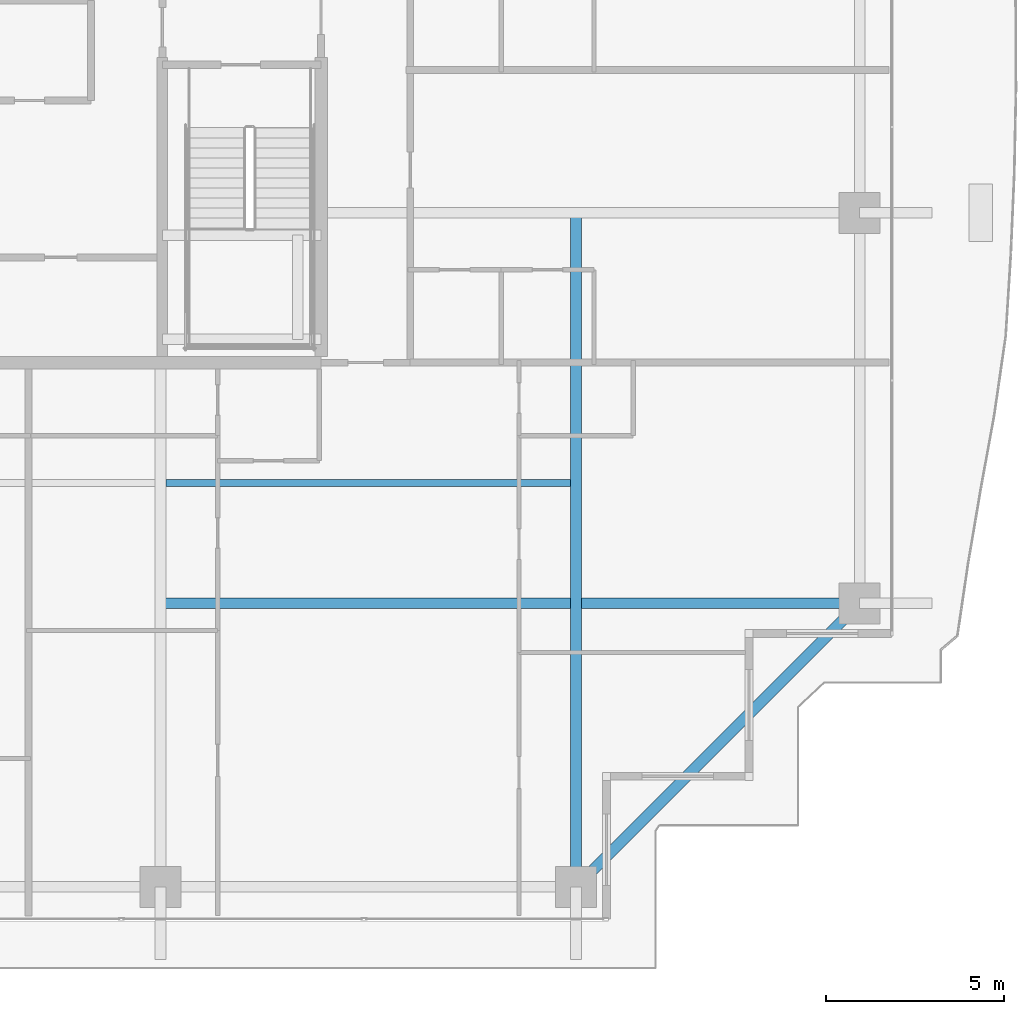
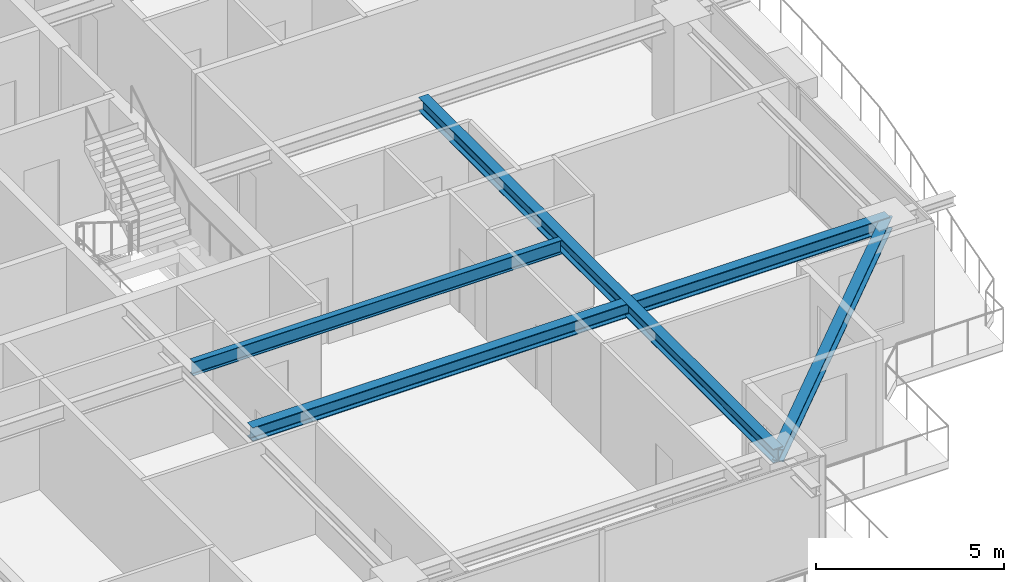
# One storey, part 12 of 37: 4 beams.
"""IFC4 building model written with IfcOpenShell, lengths in metres."""

from ifc_helpers import new_model, si_unit, direction, frame, origin, origin_2d, place, context, subcontext, project, spatial, i_section, extrude, source, transform, mapped, material, material_profile, profile_set, type_object, element, save


model = new_model("IFC4")

# Units and contexts
model_context = context("Model", 3, precision=1e-05, world=origin(), true_north=direction((0.0, 1.0)))
body_context = subcontext(model_context, "Body", "Model", "MODEL_VIEW")
ifc_project = project(units=[si_unit("LENGTHUNIT", "METRE"), si_unit("AREAUNIT", "SQUARE_METRE"), si_unit("VOLUMEUNIT", "CUBIC_METRE"), si_unit("PLANEANGLEUNIT", "RADIAN"), si_unit("MASSUNIT", "GRAM", prefix="KILO")], contexts=[model_context])

# Site, building, storey
site_placement = place(None, origin())
site = spatial("IfcSite", under=ifc_project, at=site_placement, CompositionType="ELEMENT")
building_placement = place(site_placement, origin())
building = spatial("IfcBuilding", under=site, at=building_placement, Name="Serunith Strait Residences", CompositionType="ELEMENT")
storey_placement = place(building_placement, frame((0.0, 0.0, 279.75)))
storey = spatial("IfcBuildingStorey", under=building, at=storey_placement, Name="L70", CompositionType="ELEMENT", Elevation=279.75)

# Beams
ifc_material = material(Name="Steel S355J2", Category="steel")
ifc_material_profile_1 = material_profile(ifc_material, i_section(OverallWidth=0.300048828125, OverallDepth=0.449951171875, WebThickness=0.013916015625, FlangeThickness=0.02587890625, FilletRadius=0.027099609375, at=origin_2d()), Name="HEB 450")
ifc_profile_set_1 = profile_set([ifc_material_profile_1], Name="Steel S355J2")
beam_type_1 = type_object("IfcBeamType", Name="BM-HEB450", PredefinedType="BEAM", material=ifc_profile_set_1)
shared_shape_1 = source(origin(), body_context, "Body", "SweptSolid", [
    extrude(i_section(OverallWidth=0.300048828125, OverallDepth=0.449951171875, WebThickness=0.013916015625, FlangeThickness=0.02587890625, FilletRadius=0.027099609375, at=origin_2d()), origin(), (0.0, 0.0, 1.0), 18.89990234375),
])
beam_1_placement = place(storey_placement, frame((48.550048828125, 21.0, 3.362060546875), z_axis=(0.0, -1.0, 0.0), x_axis=(1.0, 0.0, 0.0)))
element("IfcBeam", 1, at=beam_1_placement, inside=storey, type_object=beam_type_1, Name="L70 Orthogonal Corner Girder TC-S4", PredefinedType="BEAM", context=body_context, shape_type="MappedRepresentation", body=[
    mapped(shared_shape_1, transform((0.0, 0.0, 0.0), scale=1.0)),
])
shared_shape_2 = source(origin(), body_context, "Body", "SweptSolid", [
    extrude(i_section(OverallWidth=0.300048828125, OverallDepth=0.449951171875, WebThickness=0.013916015625, FlangeThickness=0.02587890625, FilletRadius=0.027099609375, at=origin_2d()), origin(), (0.0, 0.0, 1.0), 19.60009765625),
])
beam_2_placement = place(storey_placement, frame((36.89990234375, 10.050048828125, 3.362060546875), z_axis=(1.0, 0.0, 0.0), x_axis=(0.0, 1.0, 0.0)))
element("IfcBeam", 2, at=beam_2_placement, inside=storey, type_object=beam_type_1, Name="L70 Orthogonal Corner Girder TC-E1", PredefinedType="BEAM", context=body_context, shape_type="MappedRepresentation", body=[
    mapped(shared_shape_2, transform((0.0, 0.0, 0.0), scale=1.0)),
])
ifc_material_profile_2 = material_profile(ifc_material, i_section(OverallWidth=0.300048828125, OverallDepth=0.39990234375, WebThickness=0.013427734375, FlangeThickness=0.02392578125, FilletRadius=0.027099609375, at=origin_2d()), Name="HEB 400")
ifc_profile_set_2 = profile_set([ifc_material_profile_2], Name="Steel S355J2")
beam_type_2 = type_object("IfcBeamType", Name="BM-HEB400", PredefinedType="BEAM", material=ifc_profile_set_2)
shared_shape_3 = source(origin(), body_context, "Body", "SweptSolid", [
    extrude(i_section(OverallWidth=0.300048828125, OverallDepth=0.39990234375, WebThickness=0.013427734375, FlangeThickness=0.02392578125, FilletRadius=0.027099609375, at=origin_2d()), origin(), (0.0, 0.0, 1.0), 11.242919921875),
])
beam_3_placement = place(storey_placement, frame((48.550048828125, 2.10009765625, 3.35693359375), z_axis=(0.707106781187, 0.707106781187, 0.0), x_axis=(-0.707106781187, 0.707106781187, 0.0)))
element("IfcBeam", 3, at=beam_3_placement, inside=storey, type_object=beam_type_2, Name="L70 Perimeter Ring Beam 04", PredefinedType="BEAM", context=body_context, shape_type="MappedRepresentation", body=[
    mapped(shared_shape_3, transform((0.0, 0.0, 0.0), scale=1.0)),
])
ifc_material_profile_3 = material_profile(ifc_material, i_section(OverallWidth=0.18994140625, OverallDepth=0.449951171875, WebThickness=0.009521484375, FlangeThickness=0.0146484375, FilletRadius=0.02099609375, at=origin_2d()), Name="IPE 450")
ifc_profile_set_3 = profile_set([ifc_material_profile_3], Name="Steel S355J2")
beam_type_3 = type_object("IfcBeamType", Name="BM-IPE450", PredefinedType="JOIST", material=ifc_profile_set_3)
shared_shape_4 = source(origin(), body_context, "Body", "SweptSolid", [
    extrude(i_section(OverallWidth=0.18994140625, OverallDepth=0.449951171875, WebThickness=0.009521484375, FlangeThickness=0.0146484375, FilletRadius=0.02099609375, at=origin_2d()), origin(), (0.0, 0.0, 1.0), 11.349853515625),
])
beam_4_placement = place(storey_placement, frame((37.050048828125, 13.425048828125, 3.362060546875), z_axis=(1.0, 0.0, 0.0), x_axis=(0.0, 1.0, 0.0)))
element("IfcBeam", 4, at=beam_4_placement, inside=storey, type_object=beam_type_3, Name="L70 Composite Floor Joist 03", PredefinedType="JOIST", context=body_context, shape_type="MappedRepresentation", body=[
    mapped(shared_shape_4, transform((0.0, 0.0, 0.0), scale=1.0)),
])

save(model, "model.ifc")
